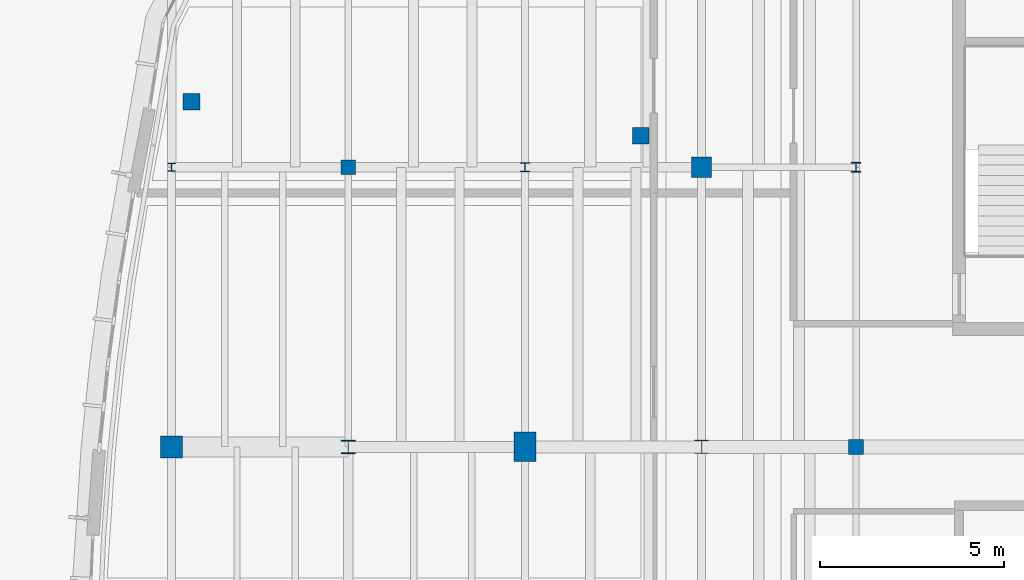
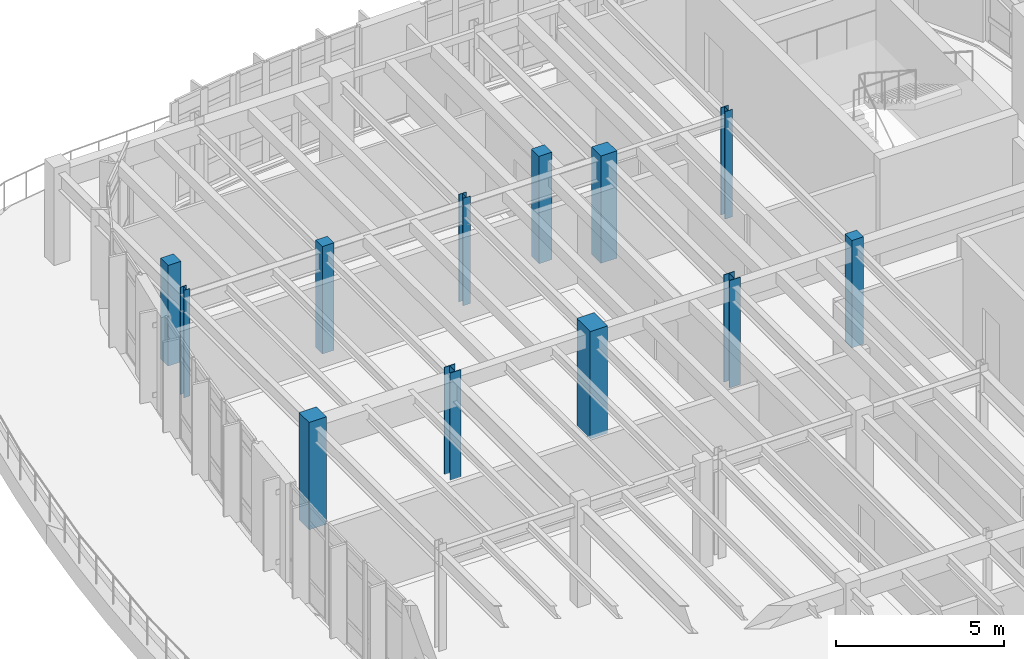
# One storey, part 7 of 105: 12 columns.
"""IFC4 building model written with IfcOpenShell, lengths in metres."""

from ifc_helpers import new_model, si_unit, direction, frame, origin, origin_2d, place, context, subcontext, project, spatial, rectangle, i_section, extrude, material, material_profile, profile_set, type_object, element, save


model = new_model("IFC4")

# Units and contexts
model_context = context("Model", 3, precision=1e-05, world=origin(), true_north=direction((0.0, 1.0)))
body_context = subcontext(model_context, "Body", "Model", "MODEL_VIEW")
ifc_project = project(units=[si_unit("LENGTHUNIT", "METRE"), si_unit("AREAUNIT", "SQUARE_METRE"), si_unit("VOLUMEUNIT", "CUBIC_METRE"), si_unit("PLANEANGLEUNIT", "RADIAN"), si_unit("MASSUNIT", "GRAM", prefix="KILO")], contexts=[model_context])

# Site, building, storey
site_placement = place(None, origin())
site = spatial("IfcSite", under=ifc_project, at=site_placement, CompositionType="ELEMENT")
building_placement = place(site_placement, origin())
building = spatial("IfcBuilding", under=site, at=building_placement, Name="Corveleigh Park Community Centre", CompositionType="ELEMENT")
storey_placement = place(building_placement, frame((0.0, 0.0, 8.699951171875)))
storey = spatial("IfcBuildingStorey", under=building, at=storey_placement, Name="L02", CompositionType="ELEMENT", Elevation=8.699951171875)

# Columns
ifc_material_1 = material(Name="Concrete C40/50", Category="concrete")
ifc_material_profile_1 = material_profile(ifc_material_1, rectangle(XDim=0.39990234375, YDim=0.39990234375, at=origin_2d()), Name="RC-400x400", Category="concrete")
ifc_profile_set_1 = profile_set([ifc_material_profile_1], Name="Concrete C40/50")
column_type_1 = type_object("IfcColumnType", Name="COL-RC-400x400", PredefinedType="COLUMN", material=ifc_profile_set_1)
for number, where, z_axis, x_axis, name in (
    (1, (144.199951171875, 96.60009765625, 0.0), (0.0, 0.0, 1.0), (1.0, 0.0, 0.0), "Column V4-X3Y5 L02"),
    (2, (158.0, 89.0, 0.0), (0.0, 0.0, 1.0), (1.0, 0.0, 0.0), "Column V4-X6Y4 L02"),
):
    element("IfcColumn", number, at=place(storey_placement, frame(where, z_axis=z_axis, x_axis=x_axis)), inside=storey, type_object=column_type_1, Name=name, PredefinedType="COLUMN", context=body_context, shape_type="SweptSolid", body=[
        extrude(rectangle(XDim=0.39990234375, YDim=0.39990234375, at=origin_2d()), origin(), (0.0, 0.0, 1.0), 3.900146484375),
    ])
ifc_material_profile_2 = material_profile(ifc_material_1, rectangle(XDim=0.449951171875, YDim=0.449951171875, at=origin_2d()), Name="RC-450x450", Category="concrete")
ifc_profile_set_2 = profile_set([ifc_material_profile_2], Name="Concrete C40/50")
column_type_2 = type_object("IfcColumnType", Name="COL-RC-450x450", PredefinedType="COLUMN", material=ifc_profile_set_2)
column_1_placement = place(storey_placement, frame((139.94091796875, 98.3759765625, 0.0), z_axis=(0.0, 0.0, 1.0), x_axis=(1.0, 0.0, 0.0)))
element("IfcColumn", 3, at=column_1_placement, inside=storey, type_object=column_type_2, Name="External deck support pier 136 L02", PredefinedType="COLUMN", context=body_context, shape_type="SweptSolid", body=[
    extrude(rectangle(XDim=0.449951171875, YDim=0.449951171875, at=origin_2d()), origin(), (0.0, 0.0, 1.0), 3.653076171875),
])
column_2_placement = place(storey_placement, frame((152.14697265625, 97.4560546875, 0.0), z_axis=(0.0, 0.0, 1.0), x_axis=(1.0, 0.0, 0.0)))
element("IfcColumn", 4, at=column_2_placement, inside=storey, type_object=column_type_2, Name="External deck support pier 140 L02", PredefinedType="COLUMN", context=body_context, shape_type="SweptSolid", body=[
    extrude(rectangle(XDim=0.449951171875, YDim=0.449951171875, at=origin_2d()), origin(), (0.0, 0.0, 1.0), 3.900146484375),
])
ifc_material_profile_3 = material_profile(ifc_material_1, rectangle(XDim=0.550048828125, YDim=0.550048828125, at=origin_2d()), Name="RC-550x550", Category="concrete")
ifc_profile_set_3 = profile_set([ifc_material_profile_3], Name="Concrete C40/50")
column_type_3 = type_object("IfcColumnType", Name="COL-RC-550x550", PredefinedType="COLUMN", material=ifc_profile_set_3)
column_3_placement = place(storey_placement, frame((153.800048828125, 96.60009765625, 0.0), z_axis=(0.0, 0.0, 1.0), x_axis=(1.0, 0.0, 0.0)))
element("IfcColumn", 5, at=column_3_placement, inside=storey, type_object=column_type_3, Name="Column V4-X5Y5 L02", PredefinedType="COLUMN", context=body_context, shape_type="SweptSolid", body=[
    extrude(rectangle(XDim=0.550048828125, YDim=0.550048828125, at=origin_2d()), origin(), (0.0, 0.0, 1.0), 3.900146484375),
])
ifc_material_profile_4 = material_profile(ifc_material_1, rectangle(XDim=0.60009765625, YDim=0.60009765625, at=origin_2d()), Name="RC-600x600", Category="concrete")
ifc_profile_set_4 = profile_set([ifc_material_profile_4], Name="Concrete C40/50")
column_type_4 = type_object("IfcColumnType", Name="COL-RC-600x600", PredefinedType="COLUMN", material=ifc_profile_set_4)
column_4_placement = place(storey_placement, frame((139.39990234375, 89.0, 0.0), z_axis=(0.0, 0.0, 1.0), x_axis=(1.0, 0.0, 0.0)))
element("IfcColumn", 6, at=column_4_placement, inside=storey, type_object=column_type_4, Name="Column V4-X2Y4 L02", PredefinedType="COLUMN", context=body_context, shape_type="SweptSolid", body=[
    extrude(rectangle(XDim=0.60009765625, YDim=0.60009765625, at=origin_2d()), origin(), (0.0, 0.0, 1.0), 3.900146484375),
])
ifc_material_profile_5 = material_profile(ifc_material_1, rectangle(XDim=0.60009765625, YDim=0.800048828125, at=origin_2d()), Name="RC-600x800", Category="concrete")
ifc_profile_set_5 = profile_set([ifc_material_profile_5], Name="Concrete C40/50")
column_type_5 = type_object("IfcColumnType", Name="COL-RC-600x800", PredefinedType="COLUMN", material=ifc_profile_set_5)
column_5_placement = place(storey_placement, frame((149.0, 89.0, 0.0), z_axis=(0.0, 0.0, 1.0), x_axis=(1.0, 0.0, 0.0)))
element("IfcColumn", 7, at=column_5_placement, inside=storey, type_object=column_type_5, Name="Column V4-X4Y4 L02", PredefinedType="COLUMN", context=body_context, shape_type="SweptSolid", body=[
    extrude(rectangle(XDim=0.60009765625, YDim=0.800048828125, at=origin_2d()), origin(), (0.0, 0.0, 1.0), 3.900146484375),
])
ifc_material_2 = material(Name="Steel S355", Category="steel")
ifc_material_profile_6 = material_profile(ifc_material_2, i_section(OverallWidth=0.206298828125, OverallDepth=0.2158203125, WebThickness=0.010009765625, FlangeThickness=0.017333984375, at=origin_2d()), Name="UKC 203x203x71", Category="steel")
ifc_profile_set_6 = profile_set([ifc_material_profile_6], Name="Steel S355")
column_type_6 = type_object("IfcColumnType", Name="COL-STL-UKC203x71", PredefinedType="COLUMN", material=ifc_profile_set_6)
column_6_placement = place(storey_placement, frame((139.39990234375, 96.60009765625, 0.0), z_axis=(0.0, 0.0, 1.0), x_axis=(1.0, 0.0, 0.0)))
element("IfcColumn", 8, at=column_6_placement, inside=storey, type_object=column_type_6, Name="Column V4-X2Y5 L02", PredefinedType="COLUMN", context=body_context, shape_type="SweptSolid", body=[
    extrude(i_section(OverallWidth=0.206298828125, OverallDepth=0.2158203125, WebThickness=0.010009765625, FlangeThickness=0.017333984375, at=origin_2d()), origin(), (0.0, 0.0, 1.0), 3.900146484375),
])
ifc_material_profile_7 = material_profile(ifc_material_2, i_section(OverallWidth=0.254638671875, OverallDepth=0.254150390625, WebThickness=0.008544921875, FlangeThickness=0.01416015625, at=origin_2d()), Name="UKC 254x254x73", Category="steel")
ifc_profile_set_7 = profile_set([ifc_material_profile_7], Name="Steel S355")
column_type_7 = type_object("IfcColumnType", Name="COL-STL-UKC254x73", PredefinedType="COLUMN", material=ifc_profile_set_7)
column_7_placement = place(storey_placement, frame((149.0, 96.60009765625, 0.0), z_axis=(0.0, 0.0, 1.0), x_axis=(1.0, 0.0, 0.0)))
element("IfcColumn", 9, at=column_7_placement, inside=storey, type_object=column_type_7, Name="Column V4-X4Y5 L02", PredefinedType="COLUMN", context=body_context, shape_type="SweptSolid", body=[
    extrude(i_section(OverallWidth=0.254638671875, OverallDepth=0.254150390625, WebThickness=0.008544921875, FlangeThickness=0.01416015625, at=origin_2d()), origin(), (0.0, 0.0, 1.0), 3.900146484375),
])
ifc_material_profile_8 = material_profile(ifc_material_2, i_section(OverallWidth=0.25634765625, OverallDepth=0.26025390625, WebThickness=0.01025390625, FlangeThickness=0.017333984375, at=origin_2d()), Name="UKC 254x254x89", Category="steel")
ifc_profile_set_8 = profile_set([ifc_material_profile_8], Name="Steel S355")
column_type_8 = type_object("IfcColumnType", Name="COL-STL-UKC254x89", PredefinedType="COLUMN", material=ifc_profile_set_8)
column_8_placement = place(storey_placement, frame((158.0, 96.60009765625, 0.0), z_axis=(0.0, 0.0, 1.0), x_axis=(1.0, 0.0, 0.0)))
element("IfcColumn", 10, at=column_8_placement, inside=storey, type_object=column_type_8, Name="Column V4-X6Y5 L02", PredefinedType="COLUMN", context=body_context, shape_type="SweptSolid", body=[
    extrude(i_section(OverallWidth=0.25634765625, OverallDepth=0.26025390625, WebThickness=0.01025390625, FlangeThickness=0.017333984375, at=origin_2d()), origin(), (0.0, 0.0, 1.0), 3.900146484375),
])
ifc_material_profile_9 = material_profile(ifc_material_2, i_section(OverallWidth=0.37060546875, OverallDepth=0.362060546875, WebThickness=0.01220703125, FlangeThickness=0.020751953125, at=origin_2d()), Name="UKC 356x368x153", Category="steel")
ifc_profile_set_9 = profile_set([ifc_material_profile_9], Name="Steel S355")
column_type_9 = type_object("IfcColumnType", Name="COL-STL-UKC356x153", PredefinedType="COLUMN", material=ifc_profile_set_9)
column_9_placement = place(storey_placement, frame((144.199951171875, 89.0, 0.0), z_axis=(0.0, 0.0, 1.0), x_axis=(1.0, 0.0, 0.0)))
element("IfcColumn", 11, at=column_9_placement, inside=storey, type_object=column_type_9, Name="Column V4-X3Y4 L02", PredefinedType="COLUMN", context=body_context, shape_type="SweptSolid", body=[
    extrude(i_section(OverallWidth=0.37060546875, OverallDepth=0.362060546875, WebThickness=0.01220703125, FlangeThickness=0.020751953125, at=origin_2d()), origin(), (0.0, 0.0, 1.0), 3.900146484375),
])
ifc_material_profile_10 = material_profile(ifc_material_2, i_section(OverallWidth=0.37255859375, OverallDepth=0.3681640625, WebThickness=0.014404296875, FlangeThickness=0.023681640625, at=origin_2d()), Name="UKC 356x368x177", Category="steel")
ifc_profile_set_10 = profile_set([ifc_material_profile_10], Name="Steel S355")
column_type_10 = type_object("IfcColumnType", Name="COL-STL-UKC356x177", PredefinedType="COLUMN", material=ifc_profile_set_10)
column_10_placement = place(storey_placement, frame((153.800048828125, 89.0, 0.0), z_axis=(0.0, 0.0, 1.0), x_axis=(1.0, 0.0, 0.0)))
element("IfcColumn", 12, at=column_10_placement, inside=storey, type_object=column_type_10, Name="Column V4-X5Y4 L02", PredefinedType="COLUMN", context=body_context, shape_type="SweptSolid", body=[
    extrude(i_section(OverallWidth=0.37255859375, OverallDepth=0.3681640625, WebThickness=0.014404296875, FlangeThickness=0.023681640625, at=origin_2d()), origin(), (0.0, 0.0, 1.0), 3.900146484375),
])

save(model, "model.ifc")
